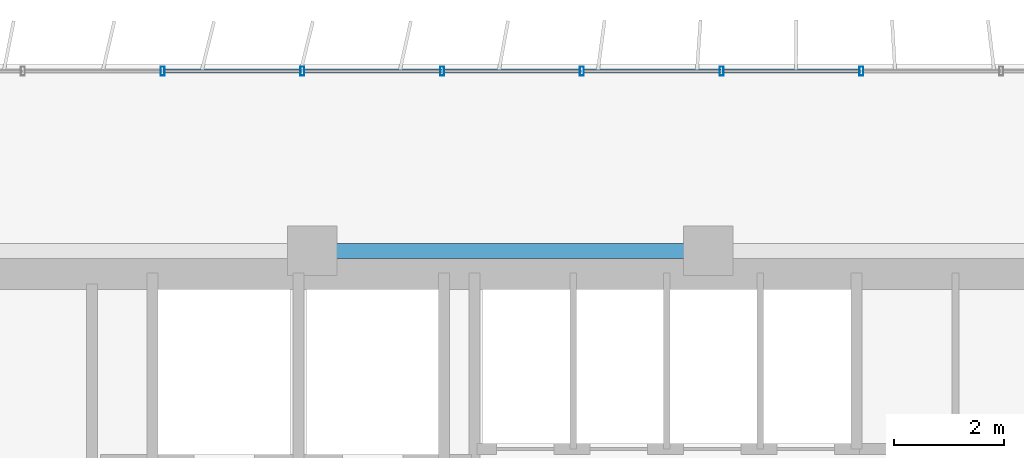
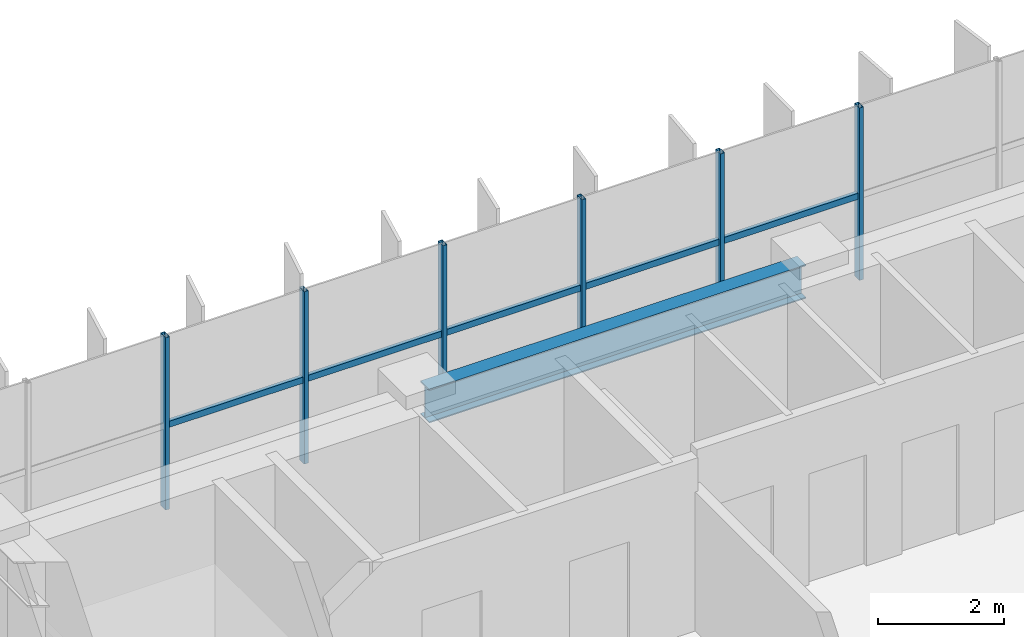
# One storey, part 7 of 21: 11 members, 1 beam, 1 element without a shape of its own.
"""IFC4 building model written with IfcOpenShell, lengths in metres."""

from ifc_helpers import new_model, si_unit, direction, frame, origin, origin_2d, place, context, subcontext, project, spatial, hollow_rectangle, i_section, extrude, source, transform, mapped, material, material_profile, profile_set, type_object, element, aggregate, save


model = new_model("IFC4")

# Units and contexts
model_context = context("Model", 3, precision=1e-05, world=origin(), true_north=direction((0.0, 1.0)))
body_context = subcontext(model_context, "Body", "Model", "MODEL_VIEW")
ifc_project = project(units=[si_unit("LENGTHUNIT", "METRE"), si_unit("AREAUNIT", "SQUARE_METRE"), si_unit("VOLUMEUNIT", "CUBIC_METRE"), si_unit("PLANEANGLEUNIT", "RADIAN"), si_unit("MASSUNIT", "GRAM", prefix="KILO")], contexts=[model_context])

# Site, building, storey
site_placement = place(None, origin())
site = spatial("IfcSite", under=ifc_project, at=site_placement, CompositionType="ELEMENT")
building_placement = place(site_placement, origin())
building = spatial("IfcBuilding", under=site, at=building_placement, Name="Trelvane Seafront Commons", CompositionType="ELEMENT")
storey_placement = place(building_placement, frame((0.0, 0.0, 34.300048828125)))
storey = spatial("IfcBuildingStorey", under=building, at=storey_placement, Name="L08", CompositionType="ELEMENT", Elevation=34.300048828125)

# Beam
ifc_material_1 = material(Name="Steel SM355 (S355)", Category="steel")
ifc_material_profile_1 = material_profile(ifc_material_1, i_section(OverallWidth=0.280029296875, OverallDepth=0.64990234375, WebThickness=0.012939453125, FlangeThickness=0.02197265625, at=origin_2d()), Name="H-650x280x13x22")
ifc_profile_set_1 = profile_set([ifc_material_profile_1], Name="Steel SM355 (S355)")
beam_type = type_object("IfcBeamType", Name="STR-BM-H650", PredefinedType="BEAM", material=ifc_profile_set_1)
shared_shape_1 = source(origin(), body_context, "Body", "SweptSolid", [
    extrude(i_section(OverallWidth=0.280029296875, OverallDepth=0.64990234375, WebThickness=0.012939453125, FlangeThickness=0.02197265625, at=origin_2d()), origin(), (0.0, 0.0, 1.0), 6.89990234375),
])
beam_placement = place(storey_placement, frame((23.550048828125, 45.10009765625, 3.014892578125), z_axis=(1.0, 0.0, 0.0), x_axis=(0.0, 1.0, 0.0)))
element("IfcBeam", 1, at=beam_placement, inside=storey, type_object=beam_type, Name="L08 Primary Girder G-31", PredefinedType="BEAM", context=body_context, shape_type="MappedRepresentation", body=[
    mapped(shared_shape_1, transform((0.0, 0.0, 0.0), x_axis=(1.0, 0.0, 0.0), y_axis=(0.0, 1.0, 0.0), z_axis=(0.0, 0.0, 1.0), scale=1.0)),
])

# Curtain wall, members
ifc_material_2 = material(Name="Anodised pale-silver aluminium", Category="aluminium")
curtain_wall_type = type_object("IfcCurtainWallType", Name="ARCH-CW2-LOWTOWER", PredefinedType="NOTDEFINED", material=ifc_material_2)
curtain_wall_placement = place(storey_placement, origin())
curtain_wall = element("IfcCurtainWall", 2, at=curtain_wall_placement, inside=storey, type_object=curtain_wall_type, Name="CW-L08-0032", PredefinedType="NOTDEFINED")
ifc_material_profile_2 = material_profile(ifc_material_2, hollow_rectangle(XDim=0.070068359375, YDim=0.1201171875, WallThickness=0.00390625, at=origin_2d()), Name="TRAN-70x120x4")
ifc_profile_set_2 = profile_set([ifc_material_profile_2], Name="Anodised pale-silver aluminium")
member_type_1 = type_object("IfcMemberType", Name="ARCH-CW-TRAN-120", PredefinedType="USERDEFINED", material=ifc_profile_set_2)
shared_shape_2 = source(origin(), body_context, "Body", "SweptSolid", [
    extrude(hollow_rectangle(XDim=0.070068359375, YDim=0.1201171875, WallThickness=0.00390625, at=origin_2d()), origin(), (0.0, 0.0, 1.0), 2.51708984375),
])
member_1_placement = place(storey_placement, frame((20.6943359375, 48.3701171875, 1.60302734375), z_axis=(1.0, 0.0, 0.0), x_axis=(0.0, 1.0, 0.0)))
member_1 = element("IfcMember", 3, at=member_1_placement, type_object=member_type_1, Name="CW-L08-0032-T02", ObjectType="TRANSOM", PredefinedType="USERDEFINED", context=body_context, shape_type="MappedRepresentation", body=[
    mapped(shared_shape_2, transform((0.0, 0.0, 0.0), x_axis=(1.0, 0.0, 0.0), y_axis=(0.0, 1.0, 0.0), z_axis=(0.0, 0.0, 1.0), scale=1.0)),
])
member_2_placement = place(storey_placement, frame((23.235595703125, 48.3701171875, 1.60302734375), z_axis=(1.0, 0.0, 0.0), x_axis=(0.0, 1.0, 0.0)))
member_2 = element("IfcMember", 4, at=member_2_placement, type_object=member_type_1, Name="CW-L08-0032-T03", ObjectType="TRANSOM", PredefinedType="USERDEFINED", context=body_context, shape_type="MappedRepresentation", body=[
    mapped(shared_shape_2, transform((0.0, 0.0, 0.0), x_axis=(1.0, 0.0, 0.0), y_axis=(0.0, 1.0, 0.0), z_axis=(0.0, 0.0, 1.0), scale=1.0)),
])
member_3_placement = place(storey_placement, frame((30.859130859375, 48.3701171875, 1.60302734375), z_axis=(1.0, 0.0, 0.0), x_axis=(0.0, 1.0, 0.0)))
member_3 = element("IfcMember", 5, at=member_3_placement, type_object=member_type_1, Name="CW-L08-0032-T06", ObjectType="TRANSOM", PredefinedType="USERDEFINED", context=body_context, shape_type="MappedRepresentation", body=[
    mapped(shared_shape_2, transform((0.0, 0.0, 0.0), x_axis=(1.0, 0.0, 0.0), y_axis=(0.0, 1.0, 0.0), z_axis=(0.0, 0.0, 1.0), scale=1.0)),
])
shared_shape_3 = source(origin(), body_context, "Body", "SweptSolid", [
    extrude(hollow_rectangle(XDim=0.070068359375, YDim=0.1201171875, WallThickness=0.00390625, at=origin_2d()), origin(), (0.0, 0.0, 1.0), 2.517333984375),
])
member_4_placement = place(storey_placement, frame((25.776611328125, 48.3701171875, 1.60302734375), z_axis=(1.0, 0.0, 0.0), x_axis=(0.0, 1.0, 0.0)))
member_4 = element("IfcMember", 6, at=member_4_placement, type_object=member_type_1, Name="CW-L08-0032-T04", ObjectType="TRANSOM", PredefinedType="USERDEFINED", context=body_context, shape_type="MappedRepresentation", body=[
    mapped(shared_shape_3, transform((0.0, 0.0, 0.0), x_axis=(1.0, 0.0, 0.0), y_axis=(0.0, 1.0, 0.0), z_axis=(0.0, 0.0, 1.0), scale=1.0)),
])
member_5_placement = place(storey_placement, frame((28.31787109375, 48.3701171875, 1.60302734375), z_axis=(1.0, 0.0, 0.0), x_axis=(0.0, 1.0, 0.0)))
member_5 = element("IfcMember", 7, at=member_5_placement, type_object=member_type_1, Name="CW-L08-0032-T05", ObjectType="TRANSOM", PredefinedType="USERDEFINED", context=body_context, shape_type="MappedRepresentation", body=[
    mapped(shared_shape_3, transform((0.0, 0.0, 0.0), x_axis=(1.0, 0.0, 0.0), y_axis=(0.0, 1.0, 0.0), z_axis=(0.0, 0.0, 1.0), scale=1.0)),
])
ifc_material_profile_3 = material_profile(ifc_material_2, hollow_rectangle(XDim=0.074951171875, YDim=0.159912109375, WallThickness=0.00390625, at=origin_2d()), Name="MULL-75x160x4")
ifc_profile_set_3 = profile_set([ifc_material_profile_3], Name="Anodised pale-silver aluminium")
member_type_2 = type_object("IfcMemberType", Name="ARCH-CW-MULL-160", PredefinedType="MULLION", material=ifc_profile_set_3)
shared_shape_4 = source(origin(), body_context, "Body", "SweptSolid", [
    extrude(hollow_rectangle(XDim=0.074951171875, YDim=0.159912109375, WallThickness=0.00390625, at=origin_2d()), origin(), (0.0, 0.0, 1.0), 3.33984375),
])
member_6_placement = place(storey_placement, frame((20.682373046875, 48.3701171875, 0.0), z_axis=(0.0, 0.0, 1.0), x_axis=(1.0, 0.0, 0.0)))
member_6 = element("IfcMember", 8, at=member_6_placement, type_object=member_type_2, Name="CW-L08-0032-M02", PredefinedType="MULLION", context=body_context, shape_type="MappedRepresentation", body=[
    mapped(shared_shape_4, transform((0.0, 0.0, 0.0), x_axis=(1.0, 0.0, 0.0), y_axis=(0.0, 1.0, 0.0), z_axis=(0.0, 0.0, 1.0), scale=1.0)),
])
member_7_placement = place(storey_placement, frame((23.223388671875, 48.3701171875, 0.0), z_axis=(0.0, 0.0, 1.0), x_axis=(1.0, 0.0, 0.0)))
member_7 = element("IfcMember", 9, at=member_7_placement, type_object=member_type_2, Name="CW-L08-0032-M03", PredefinedType="MULLION", context=body_context, shape_type="MappedRepresentation", body=[
    mapped(shared_shape_4, transform((0.0, 0.0, 0.0), x_axis=(1.0, 0.0, 0.0), y_axis=(0.0, 1.0, 0.0), z_axis=(0.0, 0.0, 1.0), scale=1.0)),
])
member_8_placement = place(storey_placement, frame((25.7646484375, 48.3701171875, 0.0), z_axis=(0.0, 0.0, 1.0), x_axis=(1.0, 0.0, 0.0)))
member_8 = element("IfcMember", 10, at=member_8_placement, type_object=member_type_2, Name="CW-L08-0032-M04", PredefinedType="MULLION", context=body_context, shape_type="MappedRepresentation", body=[
    mapped(shared_shape_4, transform((0.0, 0.0, 0.0), x_axis=(1.0, 0.0, 0.0), y_axis=(0.0, 1.0, 0.0), z_axis=(0.0, 0.0, 1.0), scale=1.0)),
])
member_9_placement = place(storey_placement, frame((28.305908203125, 48.3701171875, 0.0), z_axis=(0.0, 0.0, 1.0), x_axis=(1.0, 0.0, 0.0)))
member_9 = element("IfcMember", 11, at=member_9_placement, type_object=member_type_2, Name="CW-L08-0032-M05", PredefinedType="MULLION", context=body_context, shape_type="MappedRepresentation", body=[
    mapped(shared_shape_4, transform((0.0, 0.0, 0.0), x_axis=(1.0, 0.0, 0.0), y_axis=(0.0, 1.0, 0.0), z_axis=(0.0, 0.0, 1.0), scale=1.0)),
])
member_10_placement = place(storey_placement, frame((30.84716796875, 48.3701171875, 0.0), z_axis=(0.0, 0.0, 1.0), x_axis=(1.0, 0.0, 0.0)))
member_10 = element("IfcMember", 12, at=member_10_placement, type_object=member_type_2, Name="CW-L08-0032-M06", PredefinedType="MULLION", context=body_context, shape_type="MappedRepresentation", body=[
    mapped(shared_shape_4, transform((0.0, 0.0, 0.0), x_axis=(1.0, 0.0, 0.0), y_axis=(0.0, 1.0, 0.0), z_axis=(0.0, 0.0, 1.0), scale=1.0)),
])
member_11_placement = place(storey_placement, frame((33.38818359375, 48.3701171875, 0.0), z_axis=(0.0, 0.0, 1.0), x_axis=(1.0, 0.0, 0.0)))
member_11 = element("IfcMember", 13, at=member_11_placement, type_object=member_type_2, Name="CW-L08-0032-M07", PredefinedType="MULLION", context=body_context, shape_type="MappedRepresentation", body=[
    mapped(shared_shape_4, transform((0.0, 0.0, 0.0), x_axis=(1.0, 0.0, 0.0), y_axis=(0.0, 1.0, 0.0), z_axis=(0.0, 0.0, 1.0), scale=1.0)),
])
aggregate(curtain_wall, [member_6, member_7, member_8, member_9, member_10, member_11, member_1, member_2, member_4, member_5, member_3])

save(model, "model.ifc")
